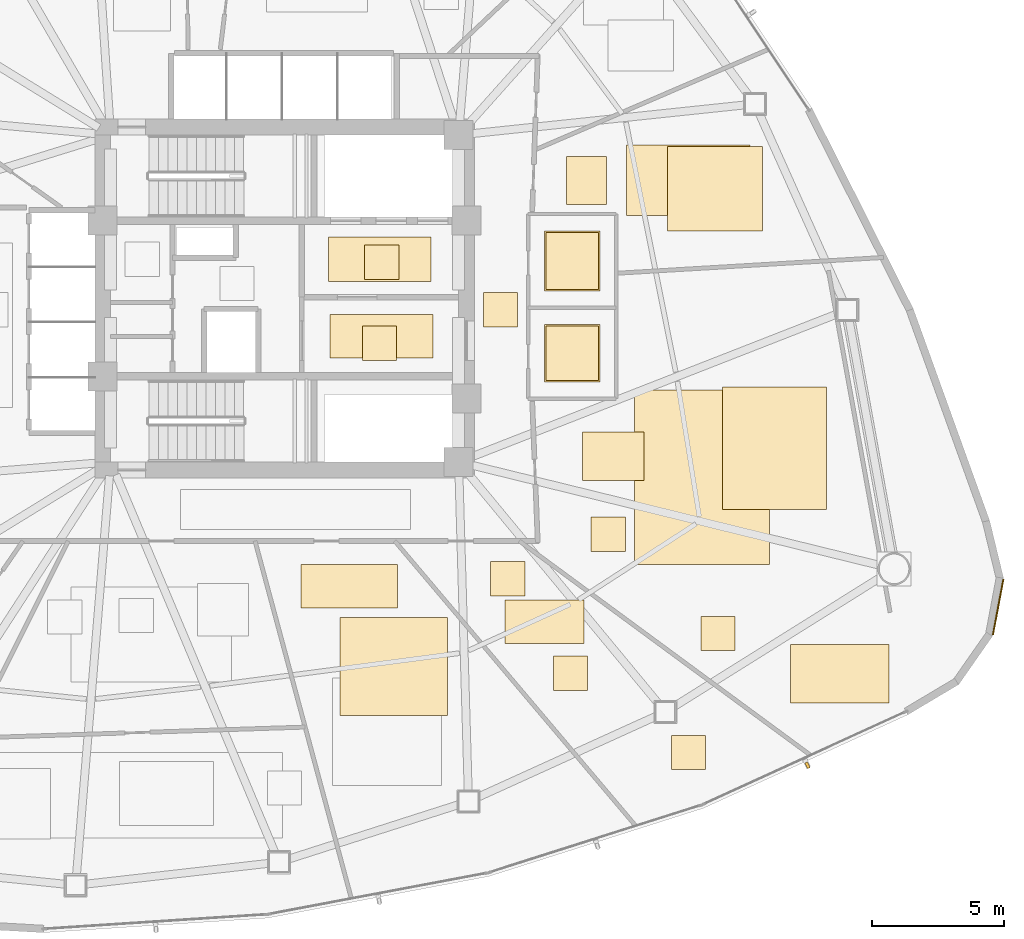
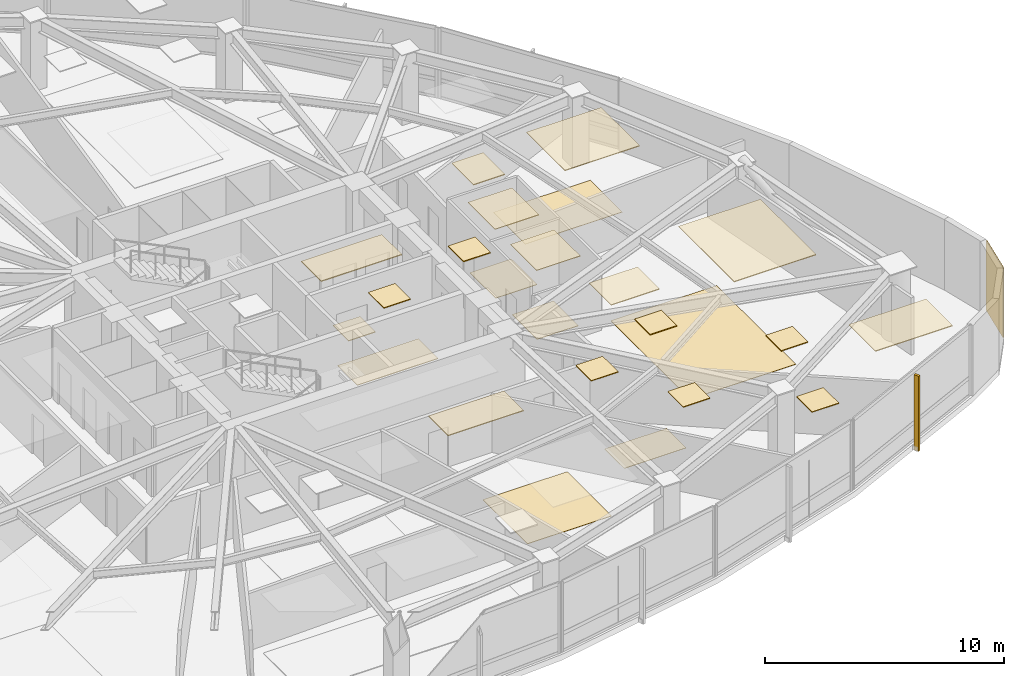
# One storey, part 17 of 18: 25 coverings, 1 shading device.
"""IFC4 building model written with IfcOpenShell, lengths in metres."""

from ifc_helpers import new_model, si_unit, direction, frame, origin, origin_2d, place, context, subcontext, project, spatial, polyline, rectangle, outline, extrude, source, transform, mapped, material, layer, layer_set, type_object, type_shapes, element, save


model = new_model("IFC4")

# Units and contexts
model_context = context("Model", 3, precision=1e-05, world=origin(), true_north=direction((0.0, 1.0)))
body_context = subcontext(model_context, "Body", "Model", "MODEL_VIEW")
ifc_project = project(units=[si_unit("LENGTHUNIT", "METRE"), si_unit("AREAUNIT", "SQUARE_METRE"), si_unit("VOLUMEUNIT", "CUBIC_METRE"), si_unit("PLANEANGLEUNIT", "RADIAN"), si_unit("MASSUNIT", "GRAM", prefix="KILO")], contexts=[model_context])

# Site, building, storey
site_placement = place(None, origin())
site = spatial("IfcSite", under=ifc_project, at=site_placement, CompositionType="ELEMENT")
building_placement = place(site_placement, origin())
building = spatial("IfcBuilding", under=site, at=building_placement, Name="Tavelor Broadcast Tower", CompositionType="ELEMENT")
storey_placement = place(building_placement, frame((0.0, 0.0, 54.89990234375)))
storey = spatial("IfcBuildingStorey", under=building, at=storey_placement, Name="L12", CompositionType="ELEMENT", Elevation=54.89990234375)

# Coverings
ifc_material_1 = material(Name="Copper-Bronze Anodized Aluminium", Category="aluminium")
ifc_layer_1 = layer(ifc_material_1, 0.044921875)
ifc_layer_set_1 = layer_set([ifc_layer_1], Name="Copper-Bronze Anodized Aluminium")
covering_type_1 = type_object("IfcCoveringType", Name="Anodised Bronze Linear Slatted Concourse Ceiling 45 mm", PredefinedType="CEILING", material=ifc_layer_set_1)
covering_1_placement = place(storey_placement, frame((0.0, 0.0, 3.55517578125)))
element("IfcCovering", 1, at=covering_1_placement, inside=storey, type_object=covering_type_1, Name="L12 Suspended Acoustic Ceiling 0440", PredefinedType="CEILING", context=body_context, shape_type="SweptSolid", body=[
    extrude(outline(polyline([(51.659912109375, 45.654296875), (55.55712890625, 45.654296875), (55.55712890625, 47.331787109375), (51.659912109375, 47.331787109375), (51.659912109375, 45.654296875)])), origin(), (0.0, 0.0, 1.0), 0.044921875),
])
covering_2_placement = place(storey_placement, frame((0.0, 0.0, 3.55517578125)))
element("IfcCovering", 2, at=covering_2_placement, inside=storey, type_object=covering_type_1, Name="L12 Suspended Acoustic Ceiling 0441", PredefinedType="CEILING", context=body_context, shape_type="SweptSolid", body=[
    extrude(outline(polyline([(52.95361328125, 42.656982421875), (54.25341796875, 42.656982421875), (54.25341796875, 43.95703125), (52.95361328125, 43.95703125), (52.95361328125, 42.656982421875)])), origin(), (0.0, 0.0, 1.0), 0.044921875),
])
covering_3_placement = place(storey_placement, frame((0.0, 0.0, 3.55517578125)))
element("IfcCovering", 3, at=covering_3_placement, inside=storey, type_object=covering_type_1, Name="L12 Suspended Acoustic Ceiling 0444", PredefinedType="CEILING", context=body_context, shape_type="SweptSolid", body=[
    extrude(outline(polyline([(57.5400390625, 43.925048828125), (58.840087890625, 43.925048828125), (58.840087890625, 45.22509765625), (57.5400390625, 45.22509765625), (57.5400390625, 43.925048828125)])), origin(), (0.0, 0.0, 1.0), 0.044921875),
])
ifc_layer_2 = layer(ifc_material_1, 0.050048828125)
ifc_layer_set_2 = layer_set([ifc_layer_2], Name="Copper-Bronze Anodized Aluminium")
covering_type_2 = type_object("IfcCoveringType", Name="Champagne-Bronze Corner Pier Metal Cladding 50 mm", PredefinedType="CLADDING", material=ifc_layer_set_2)
covering_4_placement = place(storey_placement, frame((77.066162109375, 33.298095703125, 0.02001953125), z_axis=(0.0, 0.0, 1.0), x_axis=(0.184809053369, 0.982774447059, 0.0)))
element("IfcCovering", 4, at=covering_4_placement, inside=storey, type_object=covering_type_2, Name="L12 Champagne-Bronze Corner Cladding 23", PredefinedType="CLADDING", context=body_context, shape_type="SweptSolid", body=[
    extrude(rectangle(XDim=2.141845703125, YDim=0.050048828125, at=origin_2d()), origin(), (0.0, 0.0, 1.0), 3.56005859375),
])
ifc_material_2 = material(Name="Acoustic Nylon Carpet Tile")
ifc_layer_3 = layer(ifc_material_2, 0.02001953125)
ifc_layer_set_3 = layer_set([ifc_layer_3], Name="Acoustic Nylon Carpet Tile")
covering_type_3 = type_object("IfcCoveringType", Name="Heavy-Duty Acoustic Broadcast Carpet Tile 20 mm", PredefinedType="FLOORING", material=ifc_layer_set_3)
covering_5_placement = place(storey_placement, origin())
element("IfcCovering", 5, at=covering_5_placement, inside=storey, type_object=covering_type_3, Name="L12 Broadcast Floor Finish 0167", PredefinedType="FLOORING", context=body_context, shape_type="SweptSolid", body=[
    extrude(outline(polyline([(62.962646484375, 48.146240234375), (67.647705078125, 48.146240234375), (67.647705078125, 50.8251953125), (62.962646484375, 50.8251953125), (62.962646484375, 48.146240234375)])), origin(), (0.0, 0.0, 1.0), 0.02001953125),
])
covering_6_placement = place(storey_placement, origin())
element("IfcCovering", 6, at=covering_6_placement, inside=storey, type_object=covering_type_3, Name="L12 Broadcast Floor Finish 0168", PredefinedType="FLOORING", context=body_context, shape_type="SweptSolid", body=[
    extrude(outline(polyline([(63.2646484375, 34.9091796875), (68.385009765625, 34.9091796875), (68.385009765625, 41.52978515625), (63.2646484375, 41.52978515625), (63.2646484375, 34.9091796875)])), origin(), (0.0, 0.0, 1.0), 0.02001953125),
])
covering_7_placement = place(storey_placement, origin())
element("IfcCovering", 7, at=covering_7_placement, inside=storey, type_object=covering_type_3, Name="L12 Broadcast Floor Finish 0169", PredefinedType="FLOORING", context=body_context, shape_type="SweptSolid", body=[
    extrude(outline(polyline([(58.365234375, 31.91357421875), (61.359619140625, 31.91357421875), (61.359619140625, 33.556396484375), (58.365234375, 33.556396484375), (58.365234375, 31.91357421875)])), origin(), (0.0, 0.0, 1.0), 0.02001953125),
])
covering_8_placement = place(storey_placement, origin())
element("IfcCovering", 8, at=covering_8_placement, inside=storey, type_object=covering_type_3, Name="L12 Broadcast Floor Finish 0170", PredefinedType="FLOORING", context=body_context, shape_type="SweptSolid", body=[
    extrude(outline(polyline([(52.105224609375, 29.17578125), (56.17578125, 29.17578125), (56.17578125, 32.90087890625), (52.105224609375, 32.90087890625), (52.105224609375, 29.17578125)])), origin(), (0.0, 0.0, 1.0), 0.02001953125),
])
ifc_material_3 = material(Name="Honed Natural Limestone Tile", Category="masonry")
ifc_layer_4 = layer(ifc_material_3, 0.030029296875)
ifc_layer_set_4 = layer_set([ifc_layer_4], Name="Honed Natural Limestone Tile")
covering_type_4 = type_object("IfcCoveringType", Name="Honed Jerusalem Limestone Concourse Flooring 30 mm", PredefinedType="FLOORING", material=ifc_layer_set_4)
covering_9_placement = place(storey_placement, origin())
element("IfcCovering", 9, at=covering_9_placement, inside=storey, type_object=covering_type_4, Name="L12 Broadcast Floor Finish 0154", PredefinedType="FLOORING", context=body_context, shape_type="SweptSolid", body=[
    extrude(outline(polyline([(53.030029296875, 45.728515625), (54.330078125, 45.728515625), (54.330078125, 47.028564453125), (53.030029296875, 47.028564453125), (53.030029296875, 45.728515625)])), origin(), (0.0, 0.0, 1.0), 0.030029296875),
])
covering_10_placement = place(storey_placement, origin())
element("IfcCovering", 10, at=covering_10_placement, inside=storey, type_object=covering_type_4, Name="L12 Broadcast Floor Finish 0155", PredefinedType="FLOORING", context=body_context, shape_type="SweptSolid", body=[
    extrude(outline(polyline([(51.728759765625, 42.743408203125), (55.62109375, 42.743408203125), (55.62109375, 44.396484375), (51.728759765625, 44.396484375), (51.728759765625, 42.743408203125)])), origin(), (0.0, 0.0, 1.0), 0.030029296875),
])
ifc_material_4 = material(Name="Architectural Anodized Aluminium", Category="aluminium")
ifc_layer_5 = layer(ifc_material_4, 0.030029296875)
ifc_layer_set_5 = layer_set([ifc_layer_5], Name="Architectural Anodized Aluminium")
covering_type_5 = type_object("IfcCoveringType", Name="Moisture-Resistant Washroom Ceiling 30 mm", PredefinedType="CEILING", material=ifc_layer_set_5)
covering_11_placement = place(storey_placement, frame((0.0, 0.0, 3.570068359375)))
element("IfcCovering", 11, at=covering_11_placement, inside=storey, type_object=covering_type_5, Name="L12 Suspended Acoustic Ceiling 0447", PredefinedType="CEILING", context=body_context, shape_type="SweptSolid", body=[
    extrude(outline(polyline([(59.85302734375, 41.828369140625), (61.967041015625, 41.828369140625), (61.967041015625, 44.021484375), (59.85302734375, 44.021484375), (59.85302734375, 41.828369140625)])), origin(), (0.0, 0.0, 1.0), 0.030029296875),
])
covering_12_placement = place(storey_placement, frame((0.0, 0.0, 3.570068359375)))
element("IfcCovering", 12, at=covering_12_placement, inside=storey, type_object=covering_type_5, Name="L12 Suspended Acoustic Ceiling 0448", PredefinedType="CEILING", context=body_context, shape_type="SweptSolid", body=[
    extrude(outline(polyline([(59.85302734375, 45.29248046875), (61.967041015625, 45.29248046875), (61.967041015625, 47.5576171875), (59.85302734375, 47.5576171875), (59.85302734375, 45.29248046875)])), origin(), (0.0, 0.0, 1.0), 0.030029296875),
])
ifc_material_5 = material(Name="Slip-Resistant Porcelain Tile")
ifc_layer_6 = layer(ifc_material_5, 0.02490234375)
ifc_layer_set_6 = layer_set([ifc_layer_6], Name="Slip-Resistant Porcelain Tile")
covering_type_6 = type_object("IfcCoveringType", Name="Slip-Resistant Porcelain Wet-Area Floor Tile 25 mm", PredefinedType="FLOORING", material=ifc_layer_set_6)
covering_13_placement = place(storey_placement, origin())
element("IfcCovering", 13, at=covering_13_placement, inside=storey, type_object=covering_type_6, Name="L12 Broadcast Floor Finish 0157", PredefinedType="FLOORING", context=body_context, shape_type="SweptSolid", body=[
    extrude(outline(polyline([(59.91064453125, 41.885986328125), (61.909423828125, 41.885986328125), (61.909423828125, 43.964111328125), (59.91064453125, 43.964111328125), (59.91064453125, 41.885986328125)])), origin(), (0.0, 0.0, 1.0), 0.025146484375),
])
covering_14_placement = place(storey_placement, origin())
element("IfcCovering", 14, at=covering_14_placement, inside=storey, type_object=covering_type_6, Name="L12 Broadcast Floor Finish 0158", PredefinedType="FLOORING", context=body_context, shape_type="SweptSolid", body=[
    extrude(outline(polyline([(59.91064453125, 45.35009765625), (61.909423828125, 45.35009765625), (61.909423828125, 47.5), (59.91064453125, 47.5), (59.91064453125, 45.35009765625)])), origin(), (0.0, 0.0, 1.0), 0.025146484375),
])
ifc_material_6 = material(Name="Acoustic Mineral Fibre Tile")
ifc_layer_7 = layer(ifc_material_6, 0.0400390625)
ifc_layer_set_7 = layer_set([ifc_layer_7], Name="Acoustic Mineral Fibre Tile")
covering_type_7 = type_object("IfcCoveringType", Name="Suspended Acoustic Mineral-Fibre Office Ceiling 40 mm", PredefinedType="CEILING", material=ifc_layer_set_7)
covering_15_placement = place(storey_placement, frame((0.0, 0.0, 3.56005859375)))
element("IfcCovering", 15, at=covering_15_placement, inside=storey, type_object=covering_type_7, Name="L12 Suspended Acoustic Ceiling 0475", PredefinedType="CEILING", context=body_context, shape_type="SweptSolid", body=[
    extrude(outline(polyline([(60.69677734375, 48.5615234375), (62.2197265625, 48.5615234375), (62.2197265625, 50.383544921875), (60.69677734375, 50.383544921875), (60.69677734375, 48.5615234375)])), origin(), (0.0, 0.0, 1.0), 0.0400390625),
])
covering_16_placement = place(storey_placement, frame((0.0, 0.0, 3.56005859375)))
element("IfcCovering", 16, at=covering_16_placement, inside=storey, type_object=covering_type_7, Name="L12 Suspended Acoustic Ceiling 0476", PredefinedType="CEILING", context=body_context, shape_type="SweptSolid", body=[
    extrude(outline(polyline([(64.52294921875, 47.551513671875), (68.13720703125, 47.551513671875), (68.13720703125, 50.765380859375), (64.52294921875, 50.765380859375), (64.52294921875, 47.551513671875)])), origin(), (0.0, 0.0, 1.0), 0.0400390625),
])
covering_17_placement = place(storey_placement, frame((0.0, 0.0, 3.56005859375)))
element("IfcCovering", 17, at=covering_17_placement, inside=storey, type_object=covering_type_7, Name="L12 Suspended Acoustic Ceiling 0477", PredefinedType="CEILING", context=body_context, shape_type="SweptSolid", body=[
    extrude(outline(polyline([(61.2998046875, 38.08984375), (63.6298828125, 38.08984375), (63.6298828125, 39.935546875), (61.2998046875, 39.935546875), (61.2998046875, 38.08984375)])), origin(), (0.0, 0.0, 1.0), 0.0400390625),
])
covering_18_placement = place(storey_placement, frame((0.0, 0.0, 3.56005859375)))
element("IfcCovering", 18, at=covering_18_placement, inside=storey, type_object=covering_type_7, Name="L12 Suspended Acoustic Ceiling 0478", PredefinedType="CEILING", context=body_context, shape_type="SweptSolid", body=[
    extrude(outline(polyline([(66.60400390625, 36.98828125), (70.559814453125, 36.98828125), (70.559814453125, 41.643798828125), (66.60400390625, 41.643798828125), (66.60400390625, 36.98828125)])), origin(), (0.0, 0.0, 1.0), 0.0400390625),
])
covering_19_placement = place(storey_placement, frame((0.0, 0.0, 3.56005859375)))
element("IfcCovering", 19, at=covering_19_placement, inside=storey, type_object=covering_type_7, Name="L12 Suspended Acoustic Ceiling 0479", PredefinedType="CEILING", context=body_context, shape_type="SweptSolid", body=[
    extrude(outline(polyline([(65.788818359375, 31.63818359375), (67.0888671875, 31.63818359375), (67.0888671875, 32.93798828125), (65.788818359375, 32.93798828125), (65.788818359375, 31.63818359375)])), origin(), (0.0, 0.0, 1.0), 0.0400390625),
])
covering_20_placement = place(storey_placement, frame((0.0, 0.0, 3.56005859375)))
element("IfcCovering", 20, at=covering_20_placement, inside=storey, type_object=covering_type_7, Name="L12 Suspended Acoustic Ceiling 0480", PredefinedType="CEILING", context=body_context, shape_type="SweptSolid", body=[
    extrude(outline(polyline([(69.187744140625, 29.647705078125), (72.9169921875, 29.647705078125), (72.9169921875, 31.87646484375), (69.187744140625, 31.87646484375), (69.187744140625, 29.647705078125)])), origin(), (0.0, 0.0, 1.0), 0.0400390625),
])
covering_21_placement = place(storey_placement, frame((0.0, 0.0, 3.56005859375)))
element("IfcCovering", 21, at=covering_21_placement, inside=storey, type_object=covering_type_7, Name="L12 Suspended Acoustic Ceiling 0481", PredefinedType="CEILING", context=body_context, shape_type="SweptSolid", body=[
    extrude(outline(polyline([(61.626220703125, 35.40576171875), (62.92626953125, 35.40576171875), (62.92626953125, 36.705810546875), (61.626220703125, 36.705810546875), (61.626220703125, 35.40576171875)])), origin(), (0.0, 0.0, 1.0), 0.0400390625),
])
covering_22_placement = place(storey_placement, frame((0.0, 0.0, 3.56005859375)))
element("IfcCovering", 22, at=covering_22_placement, inside=storey, type_object=covering_type_7, Name="L12 Suspended Acoustic Ceiling 0482", PredefinedType="CEILING", context=body_context, shape_type="SweptSolid", body=[
    extrude(outline(polyline([(57.815673828125, 33.718505859375), (59.11572265625, 33.718505859375), (59.11572265625, 35.0185546875), (57.815673828125, 35.0185546875), (57.815673828125, 33.718505859375)])), origin(), (0.0, 0.0, 1.0), 0.0400390625),
])
covering_23_placement = place(storey_placement, frame((0.0, 0.0, 3.56005859375)))
element("IfcCovering", 23, at=covering_23_placement, inside=storey, type_object=covering_type_7, Name="L12 Suspended Acoustic Ceiling 0483", PredefinedType="CEILING", context=body_context, shape_type="SweptSolid", body=[
    extrude(outline(polyline([(64.670654296875, 27.12939453125), (65.970703125, 27.12939453125), (65.970703125, 28.429443359375), (64.670654296875, 28.429443359375), (64.670654296875, 27.12939453125)])), origin(), (0.0, 0.0, 1.0), 0.0400390625),
])
covering_24_placement = place(storey_placement, frame((0.0, 0.0, 3.56005859375)))
element("IfcCovering", 24, at=covering_24_placement, inside=storey, type_object=covering_type_7, Name="L12 Suspended Acoustic Ceiling 0484", PredefinedType="CEILING", context=body_context, shape_type="SweptSolid", body=[
    extrude(outline(polyline([(60.1904296875, 30.138671875), (61.490478515625, 30.138671875), (61.490478515625, 31.438720703125), (60.1904296875, 31.438720703125), (60.1904296875, 30.138671875)])), origin(), (0.0, 0.0, 1.0), 0.0400390625),
])
covering_25_placement = place(storey_placement, frame((0.0, 0.0, 3.56005859375)))
element("IfcCovering", 25, at=covering_25_placement, inside=storey, type_object=covering_type_7, Name="L12 Suspended Acoustic Ceiling 0485", PredefinedType="CEILING", context=body_context, shape_type="SweptSolid", body=[
    extrude(outline(polyline([(50.627197265625, 33.254638671875), (54.28466796875, 33.254638671875), (54.28466796875, 34.90478515625), (50.627197265625, 34.90478515625), (50.627197265625, 33.254638671875)])), origin(), (0.0, 0.0, 1.0), 0.0400390625),
])

# Shading device
ifc_material_7 = material(Name="Kiln-Fired Glazed Terracotta", Category="masonry")
shading_device_type = type_object("IfcShadingDeviceType", Name="Extruded Terracotta Baguette Sun-Screen 110x240", PredefinedType="JALOUSIE", material=ifc_material_7)
shared_shape = source(origin(), body_context, "Body", "SweptSolid", [
    extrude(rectangle(XDim=0.110107421875, YDim=0.239990234375, at=origin_2d()), origin(), (0.0, 0.0, 1.0), 3.840087890625),
])
type_shapes(shading_device_type, [shared_shape])
shading_device_placement = place(storey_placement, frame((69.834228515625, 27.292236328125, -0.259765625), z_axis=(0.0, 0.0, 1.0), x_axis=(0.909381363059, 0.41596338363, 0.0)))
element("IfcShadingDevice", 26, at=shading_device_placement, inside=storey, type_object=shading_device_type, Name="L12 Terracotta Baguette Fin 104", PredefinedType="JALOUSIE", context=body_context, shape_type="MappedRepresentation", body=[
    mapped(shared_shape, transform((0.0, 0.0, 0.0), scale=1.0)),
])

save(model, "model.ifc")
